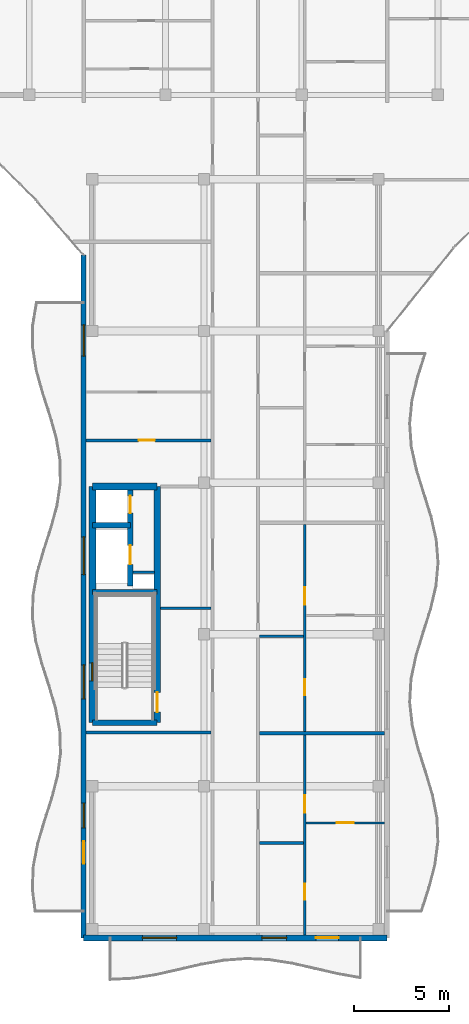
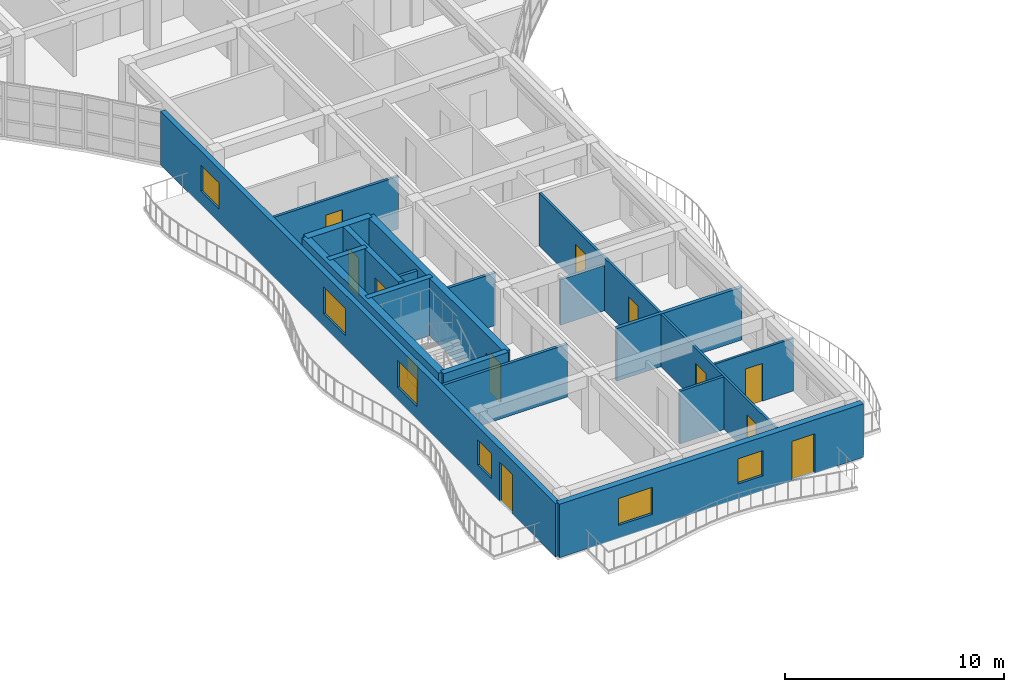
# One storey, part 37 of 71: 19 walls, 11 doors, 7 windows, 18 openings.
"""IFC4 building model written with IfcOpenShell, lengths in metres."""

from ifc_helpers import new_model, si_unit, direction, frame, frame_2d, origin, place, context, subcontext, project, spatial, rectangle, extrude, material, layer, layer_set, type_object, element, fill, save


model = new_model("IFC4")

# Units and contexts
model_context = context("Model", 3, precision=1e-05, world=origin(), true_north=direction((0.0, 1.0)))
body_context = subcontext(model_context, "Body", "Model", "MODEL_VIEW")
ifc_project = project(units=[si_unit("LENGTHUNIT", "METRE"), si_unit("AREAUNIT", "SQUARE_METRE"), si_unit("VOLUMEUNIT", "CUBIC_METRE"), si_unit("PLANEANGLEUNIT", "RADIAN"), si_unit("MASSUNIT", "GRAM", prefix="KILO")], contexts=[model_context])

# Site, building, storey
site_placement = place(None, origin())
site = spatial("IfcSite", under=ifc_project, at=site_placement, CompositionType="ELEMENT")
building_placement = place(site_placement, origin())
building = spatial("IfcBuilding", under=site, at=building_placement, Name="Keldmere Railside Commons", CompositionType="ELEMENT")
storey_placement = place(building_placement, frame((0.0, 0.0, 20.159912109375)))
storey = spatial("IfcBuildingStorey", under=building, at=storey_placement, Name="L06", CompositionType="ELEMENT", Elevation=20.159912109375)

# Wall
ifc_material_1 = material(Name="Acoustic Gypsum Board Partition", Category="gypsum")
ifc_layer_1 = layer(ifc_material_1, 0.179931640625, Name="Acoustic Demising Partition 180")
ifc_layer_set_1 = layer_set([ifc_layer_1], Name="Acoustic Gypsum Board Partition")
wall_type_1 = type_object("IfcWallType", Name="Acoustic Demising Partition 180", PredefinedType="PARTITIONING", material=ifc_layer_set_1)
wall_1_placement = place(storey_placement, frame((113.280029296875, 66.780029296875, 0.0), z_axis=(0.0, 0.0, 1.0), x_axis=(1.0, 0.0, 0.0)))
element("IfcWall", 1, at=wall_1_placement, inside=storey, type_object=wall_type_1, Name="IW-1 IW-L06-1152", PredefinedType="PARTITIONING", context=body_context, shape_type="SweptSolid", body=[
    extrude(rectangle(XDim=6.590087890625, YDim=0.179931640625, at=frame_2d((3.294921875, 0.0))), origin(), (0.0, 0.0, 1.0), 2.93505859375),
])

# Wall, openings, doors
ifc_layer_2 = layer(ifc_material_1, 0.1201171875, Name="Apartment Interior Partition 120")
ifc_layer_set_2 = layer_set([ifc_layer_2], Name="Acoustic Gypsum Board Partition")
wall_type_2 = type_object("IfcWallType", Name="Apartment Interior Partition 120", PredefinedType="PARTITIONING", material=ifc_layer_set_2)
wall_2_placement = place(storey_placement, frame((115.659912109375, 56.159912109375, 0.0), z_axis=(0.0, 0.0, 1.0), x_axis=(0.0, 1.0, 0.0)))
wall_2 = element("IfcWall", 2, at=wall_2_placement, inside=storey, type_object=wall_type_2, Name="IW-4 IW-L06-1155", PredefinedType="PARTITIONING", context=body_context, shape_type="SweptSolid", body=[
    extrude(rectangle(XDim=10.530029296875, YDim=0.1201171875, at=frame_2d((5.26513671875, 0.0))), origin(), (0.0, 0.0, 1.0), 2.93505859375),
])
opening_1_placement = place(wall_2_placement, frame((1.839111328125, 0.0, 0.0)))
opening_1 = element("IfcOpeningElement", 3, at=opening_1_placement, cuts=wall_2, Name="Opening ID-04", PredefinedType="OPENING", context=body_context, shape_type="SweptSolid", body=[
    extrude(rectangle(XDim=0.860107421875, YDim=2.10009765625, at=frame_2d((0.43017578125, 1.050048828125))), frame((0.0, 0.070068359375, 0.0), z_axis=(0.0, -1.0, 0.0), x_axis=(1.0, 0.0, 0.0)), (0.0, 0.0, 1.0), 0.14013671875),
])
opening_2_placement = place(wall_2_placement, frame((6.43310546875, 0.0, 0.0)))
opening_2 = element("IfcOpeningElement", 4, at=opening_2_placement, cuts=wall_2, Name="Opening ID-03", PredefinedType="OPENING", context=body_context, shape_type="SweptSolid", body=[
    extrude(rectangle(XDim=0.919921875, YDim=2.10009765625, at=frame_2d((0.4599609375, 1.050048828125))), frame((0.0, 0.070068359375, 0.0), z_axis=(0.0, -1.0, 0.0), x_axis=(1.0, 0.0, 0.0)), (0.0, 0.0, 1.0), 0.14013671875),
])
ifc_material_2 = material(Name="Engineered Oak Timber", Category="wood")
door_type_1 = type_object("IfcDoorType", Name="Apartment Bathroom Door 860x2100", OperationType="NOTDEFINED", PredefinedType="DOOR", material=ifc_material_2)
door_1_placement = place(opening_1_placement, origin())
door_1 = element("IfcDoor", 5, at=door_1_placement, inside=storey, type_object=door_type_1, Name="ID-04 IDR-L06-1015", OperationType="SINGLE_SWING_LEFT", OverallHeight=2.10009765625, OverallWidth=0.860107421875, PredefinedType="DOOR", context=body_context, shape_type="SweptSolid", body=[
    extrude(rectangle(XDim=0.860107421875, YDim=2.10009765625, at=frame_2d((0.43017578125, 1.050048828125))), frame((0.0, 0.02490234375, 0.0), z_axis=(0.0, -1.0, 0.0), x_axis=(1.0, 0.0, 0.0)), (0.0, 0.0, 1.0), 0.050048828125),
])
fill(opening_1, door_1)
door_type_2 = type_object("IfcDoorType", Name="Kitchen Pocket-Frame Swing Door 920x2100", OperationType="NOTDEFINED", PredefinedType="DOOR", material=ifc_material_2)
door_2_placement = place(opening_2_placement, origin())
door_2 = element("IfcDoor", 6, at=door_2_placement, inside=storey, type_object=door_type_2, Name="ID-03 IDR-L06-1016", OperationType="SINGLE_SWING_RIGHT", OverallHeight=2.10009765625, OverallWidth=0.919921875, PredefinedType="DOOR", context=body_context, shape_type="SweptSolid", body=[
    extrude(rectangle(XDim=0.919921875, YDim=2.10009765625, at=frame_2d((0.4599609375, 1.050048828125))), frame((0.0, 0.02490234375, 0.0), z_axis=(0.0, -1.0, 0.0), x_axis=(1.0, 0.0, 0.0)), (0.0, 0.0, 1.0), 0.050048828125),
])
fill(opening_2, door_2)

# Wall, opening, door
wall_3_placement = place(storey_placement, frame((115.719970703125, 62.06005859375, 0.0), z_axis=(0.0, 0.0, 1.0), x_axis=(1.0, 0.0, 0.0)))
wall_3 = element("IfcWall", 7, at=wall_3_placement, inside=storey, type_object=wall_type_2, Name="IW-4 IW-L06-1157", PredefinedType="PARTITIONING", context=body_context, shape_type="SweptSolid", body=[
    extrude(rectangle(XDim=4.150146484375, YDim=0.1201171875, at=frame_2d((2.0751953125, 0.0))), origin(), (0.0, 0.0, 1.0), 2.93505859375),
])
opening_3_placement = place(wall_3_placement, frame((1.625, 0.0, 0.0)))
opening_3 = element("IfcOpeningElement", 8, at=opening_3_placement, cuts=wall_3, Name="Opening ID-01", PredefinedType="OPENING", context=body_context, shape_type="SweptSolid", body=[
    extrude(rectangle(XDim=0.89990234375, YDim=2.10009765625, at=frame_2d((0.449951171875, 1.050048828125))), frame((0.0, 0.070068359375, 0.0), z_axis=(0.0, -1.0, 0.0), x_axis=(1.0, 0.0, 0.0)), (0.0, 0.0, 1.0), 0.14013671875),
])
door_type_3 = type_object("IfcDoorType", Name="Primary Bedroom Door 900x2100", OperationType="NOTDEFINED", PredefinedType="DOOR", material=ifc_material_2)
door_3_placement = place(opening_3_placement, origin())
door_3 = element("IfcDoor", 9, at=door_3_placement, inside=storey, type_object=door_type_3, Name="ID-01 IDR-L06-1018", OperationType="SINGLE_SWING_RIGHT", OverallHeight=2.10009765625, OverallWidth=0.89990234375, PredefinedType="DOOR", context=body_context, shape_type="SweptSolid", body=[
    extrude(rectangle(XDim=0.89990234375, YDim=2.10009765625, at=frame_2d((0.449951171875, 1.050048828125))), frame((0.0, 0.02490234375, 0.0), z_axis=(0.0, -1.0, 0.0), x_axis=(1.0, 0.0, 0.0)), (0.0, 0.0, 1.0), 0.050048828125),
])
fill(opening_3, door_3)

# Wall, openings, doors
wall_4_placement = place(storey_placement, frame((115.659912109375, 66.8701171875, 0.0), z_axis=(0.0, 0.0, 1.0), x_axis=(0.0, 1.0, 0.0)))
wall_4 = element("IfcWall", 10, at=wall_4_placement, inside=storey, type_object=wall_type_2, Name="IW-4 IW-L06-1158", PredefinedType="PARTITIONING", context=body_context, shape_type="SweptSolid", body=[
    extrude(rectangle(XDim=10.93994140625, YDim=0.1201171875, at=frame_2d((5.469970703125, 0.0))), origin(), (0.0, 0.0, 1.0), 2.93505859375),
])
opening_4_placement = place(wall_4_placement, frame((1.911376953125, 0.0, 0.0)))
opening_4 = element("IfcOpeningElement", 11, at=opening_4_placement, cuts=wall_4, Name="Opening ID-04", PredefinedType="OPENING", context=body_context, shape_type="SweptSolid", body=[
    extrude(rectangle(XDim=0.860107421875, YDim=2.10009765625, at=frame_2d((0.43017578125, 1.050048828125))), frame((0.0, 0.070068359375, 0.0), z_axis=(0.0, -1.0, 0.0), x_axis=(1.0, 0.0, 0.0)), (0.0, 0.0, 1.0), 0.14013671875),
])
opening_5_placement = place(wall_4_placement, frame((6.684814453125, 0.0, 0.0)))
opening_5 = element("IfcOpeningElement", 12, at=opening_5_placement, cuts=wall_4, Name="Opening ID-03", PredefinedType="OPENING", context=body_context, shape_type="SweptSolid", body=[
    extrude(rectangle(XDim=0.919921875, YDim=2.10009765625, at=frame_2d((0.4599609375, 1.050048828125))), frame((0.0, 0.070068359375, 0.0), z_axis=(0.0, -1.0, 0.0), x_axis=(1.0, 0.0, 0.0)), (0.0, 0.0, 1.0), 0.14013671875),
])
door_4_placement = place(opening_4_placement, origin())
door_4 = element("IfcDoor", 13, at=door_4_placement, inside=storey, type_object=door_type_1, Name="ID-04 IDR-L06-1019", OperationType="SINGLE_SWING_LEFT", OverallHeight=2.10009765625, OverallWidth=0.860107421875, PredefinedType="DOOR", context=body_context, shape_type="SweptSolid", body=[
    extrude(rectangle(XDim=0.860107421875, YDim=2.10009765625, at=frame_2d((0.43017578125, 1.050048828125))), frame((0.0, 0.02490234375, 0.0), z_axis=(0.0, -1.0, 0.0), x_axis=(1.0, 0.0, 0.0)), (0.0, 0.0, 1.0), 0.050048828125),
])
fill(opening_4, door_4)
door_5_placement = place(opening_5_placement, origin())
door_5 = element("IfcDoor", 14, at=door_5_placement, inside=storey, type_object=door_type_2, Name="ID-03 IDR-L06-1020", OperationType="SINGLE_SWING_RIGHT", OverallHeight=2.10009765625, OverallWidth=0.919921875, PredefinedType="DOOR", context=body_context, shape_type="SweptSolid", body=[
    extrude(rectangle(XDim=0.919921875, YDim=2.10009765625, at=frame_2d((0.4599609375, 1.050048828125))), frame((0.0, 0.02490234375, 0.0), z_axis=(0.0, -1.0, 0.0), x_axis=(1.0, 0.0, 0.0)), (0.0, 0.0, 1.0), 0.050048828125),
])
fill(opening_5, door_5)

# Walls
ifc_material_3 = material(Name="Concrete H-35 (C35/45)", Category="concrete")
ifc_layer_3 = layer(ifc_material_3, 0.280029296875, Name="Core Shear Wall 280")
ifc_layer_set_3 = layer_set([ifc_layer_3], Name="Concrete H-35 (C35/45)")
wall_type_3 = type_object("IfcWallType", Name="Core Shear Wall 280", PredefinedType="SHEAR", material=ifc_layer_set_3)
wall_5_placement = place(storey_placement, frame((104.4599609375, 74.239990234375, 0.0), z_axis=(0.0, 0.0, 1.0), x_axis=(1.0, 0.0, 0.0)))
element("IfcWall", 15, at=wall_5_placement, inside=storey, type_object=wall_type_3, Name="CSW-2 COREBM-L06-0508", PredefinedType="SHEAR", context=body_context, shape_type="SweptSolid", body=[
    extrude(rectangle(XDim=3.41015625, YDim=0.280029296875, at=frame_2d((1.705078125, 0.0))), origin(), (0.0, 0.0, 1.0), 3.2001953125),
])
wall_6_placement = place(storey_placement, frame((104.4599609375, 77.75, 0.0), z_axis=(0.0, 0.0, 1.0), x_axis=(1.0, 0.0, 0.0)))
element("IfcWall", 16, at=wall_6_placement, inside=storey, type_object=wall_type_3, Name="CSW-2 COREBL-L06-0509", PredefinedType="SHEAR", context=body_context, shape_type="SweptSolid", body=[
    extrude(rectangle(XDim=2.0, YDim=0.280029296875, at=frame_2d((1.0, 0.0))), origin(), (0.0, 0.0, 1.0), 3.2001953125),
])

# Wall, openings, doors
wall_7_placement = place(storey_placement, frame((106.4599609375, 74.550048828125, 0.0), z_axis=(0.0, 0.0, 1.0), x_axis=(0.0, 1.0, 0.0)))
wall_7 = element("IfcWall", 17, at=wall_7_placement, inside=storey, type_object=wall_type_3, Name="CSW-2 LSHB-L06-0510", PredefinedType="SHEAR", context=body_context, shape_type="SweptSolid", body=[
    extrude(rectangle(XDim=5.25, YDim=0.280029296875, at=frame_2d((2.625, 0.0))), origin(), (0.0, 0.0, 1.0), 3.2001953125),
])
opening_6_placement = place(wall_7_placement, frame((1.14990234375, 0.0, 0.0)))
opening_6 = element("IfcOpeningElement", 18, at=opening_6_placement, cuts=wall_7, Name="Opening LD-1", PredefinedType="OPENING", context=body_context, shape_type="SweptSolid", body=[
    extrude(rectangle(XDim=1.0, YDim=2.14990234375, at=frame_2d((0.5, 1.074951171875))), frame((0.0, 0.14990234375, 0.0), z_axis=(0.0, -1.0, 0.0), x_axis=(1.0, 0.0, 0.0)), (0.0, 0.0, 1.0), 0.300048828125),
])
opening_7_placement = place(wall_7_placement, frame((3.85009765625, 0.0, 0.0)))
opening_7 = element("IfcOpeningElement", 19, at=opening_7_placement, cuts=wall_7, Name="Opening LD-2", PredefinedType="OPENING", context=body_context, shape_type="SweptSolid", body=[
    extrude(rectangle(XDim=0.89990234375, YDim=2.14990234375, at=frame_2d((0.449951171875, 1.074951171875))), frame((0.0, 0.14990234375, 0.0), z_axis=(0.0, -1.0, 0.0), x_axis=(1.0, 0.0, 0.0)), (0.0, 0.0, 1.0), 0.300048828125),
])
ifc_material_4 = material(Name="Steel F-24 (S235)", Category="steel")
door_type_4 = type_object("IfcDoorType", Name="Firefighting Stretcher Lift Landing Door 1000x2150", OperationType="SLIDING_TO_LEFT", PredefinedType="DOOR", material=ifc_material_4)
door_6_placement = place(opening_6_placement, origin())
door_6 = element("IfcDoor", 20, at=door_6_placement, inside=storey, type_object=door_type_4, Name="LD-1 B L06", OperationType="SLIDING_TO_LEFT", OverallHeight=2.14990234375, OverallWidth=1.0, PredefinedType="DOOR", context=body_context, shape_type="SweptSolid", body=[
    extrude(rectangle(XDim=1.0, YDim=2.14990234375, at=frame_2d((0.5, 1.074951171875))), frame((0.0, 0.02490234375, 0.0), z_axis=(0.0, -1.0, 0.0), x_axis=(1.0, 0.0, 0.0)), (0.0, 0.0, 1.0), 0.050048828125),
])
fill(opening_6, door_6)
door_type_5 = type_object("IfcDoorType", Name="Passenger Lift Sliding Landing Door 900x2150", OperationType="SLIDING_TO_RIGHT", PredefinedType="DOOR", material=ifc_material_4)
door_7_placement = place(opening_7_placement, origin())
door_7 = element("IfcDoor", 21, at=door_7_placement, inside=storey, type_object=door_type_5, Name="LD-2 B L06", OperationType="SLIDING_TO_RIGHT", OverallHeight=2.14990234375, OverallWidth=0.89990234375, PredefinedType="DOOR", context=body_context, shape_type="SweptSolid", body=[
    extrude(rectangle(XDim=0.89990234375, YDim=2.14990234375, at=frame_2d((0.449951171875, 1.074951171875))), frame((0.0, 0.02490234375, 0.0), z_axis=(0.0, -1.0, 0.0), x_axis=(1.0, 0.0, 0.0)), (0.0, 0.0, 1.0), 0.050048828125),
])
fill(opening_7, door_7)

# Wall, opening, window
ifc_material_5 = material(Name="Concrete H-40 (C40/50)", Category="concrete")
ifc_layer_4 = layer(ifc_material_5, 0.3798828125, Name="Core Shear Wall 380")
ifc_layer_set_4 = layer_set([ifc_layer_4], Name="Concrete H-40 (C40/50)")
wall_type_4 = type_object("IfcWallType", Name="Core Shear Wall 380", PredefinedType="SHEAR", material=ifc_layer_set_4)
wall_8_placement = place(storey_placement, frame((104.4599609375, 67.35009765625, 0.0), z_axis=(0.0, 0.0, 1.0), x_axis=(0.0, 1.0, 0.0)))
wall_8 = element("IfcWall", 22, at=wall_8_placement, inside=storey, type_object=wall_type_4, Name="CW-CORE COREBW-L06-0504", PredefinedType="SHEAR", context=body_context, shape_type="SweptSolid", body=[
    extrude(rectangle(XDim=12.449951171875, YDim=0.3798828125, at=frame_2d((6.22509765625, 0.0))), origin(), (0.0, 0.0, 1.0), 3.2001953125),
])
opening_8_placement = place(wall_8_placement, frame((2.199951171875, 0.0, 0.969970703125)))
opening_8 = element("IfcOpeningElement", 23, at=opening_8_placement, cuts=wall_8, Name="Opening WN-17", PredefinedType="OPENING", context=body_context, shape_type="SweptSolid", body=[
    extrude(rectangle(XDim=0.949951171875, YDim=1.25, at=frame_2d((0.47509765625, 0.625))), frame((0.0, 0.199951171875, 0.0), z_axis=(0.0, -1.0, 0.0), x_axis=(1.0, 0.0, 0.0)), (0.0, 0.0, 1.0), 0.39990234375),
])
ifc_material_6 = material(Name="Low-E Insulated Double Glazing", Category="glass")
window_type_1 = type_object("IfcWindowType", Name="Stair Core Natural Smoke-Vent Window 950x1250", PartitioningType="SINGLE_PANEL", PredefinedType="WINDOW", material=ifc_material_6)
window_1_placement = place(opening_8_placement, origin())
window_1 = element("IfcWindow", 24, at=window_1_placement, inside=storey, type_object=window_type_1, Name="WN-17 WIN-L06-0343", OverallHeight=1.25, OverallWidth=0.949951171875, PartitioningType="SINGLE_PANEL", PredefinedType="WINDOW", context=body_context, shape_type="SweptSolid", body=[
    extrude(rectangle(XDim=0.949951171875, YDim=1.25, at=frame_2d((0.47509765625, 0.625))), frame((0.0, 0.030029296875, 0.0), z_axis=(0.0, -1.0, 0.0), x_axis=(1.0, 0.0, 0.0)), (0.0, 0.0, 1.0), 0.06005859375),
])
fill(opening_8, window_1)

# Wall
wall_9_placement = place(storey_placement, frame((104.4599609375, 79.800048828125, 0.0), z_axis=(0.0, 0.0, 1.0), x_axis=(1.0, 0.0, 0.0)))
element("IfcWall", 25, at=wall_9_placement, inside=storey, type_object=wall_type_4, Name="CW-CORE COREBN-L06-0505", PredefinedType="SHEAR", context=body_context, shape_type="SweptSolid", body=[
    extrude(rectangle(XDim=3.41015625, YDim=0.3798828125, at=frame_2d((1.705078125, 0.0))), origin(), (0.0, 0.0, 1.0), 3.2001953125),
])

# Wall, openings, door, windows
ifc_layer_5 = layer(ifc_material_3, 0.320068359375, Name="Exterior Shear Wall 320")
ifc_layer_set_5 = layer_set([ifc_layer_5], Name="Concrete H-35 (C35/45)")
wall_type_5 = type_object("IfcWallType", Name="Exterior Shear Wall 320", PredefinedType="SHEAR", material=ifc_layer_set_5)
wall_10_placement = place(storey_placement, frame((120.0, 56.0, 0.0), z_axis=(0.0, 0.0, 1.0), x_axis=(-1.0, 0.0, 0.0)))
wall_10 = element("IfcWall", 26, at=wall_10_placement, inside=storey, type_object=wall_type_5, Name="ESW-2 EXTB-L06-0629", PredefinedType="SHEAR", context=body_context, shape_type="SweptSolid", body=[
    extrude(rectangle(XDim=16.0, YDim=0.320068359375, at=frame_2d((8.0, 0.0))), origin(), (0.0, 0.0, 1.0), 2.97998046875),
])
opening_9_placement = place(wall_10_placement, frame((2.550048828125, 0.0, 0.0)))
opening_9 = element("IfcOpeningElement", 27, at=opening_9_placement, cuts=wall_10, Name="Opening BD-01", PredefinedType="OPENING", context=body_context, shape_type="SweptSolid", body=[
    extrude(rectangle(XDim=1.199951171875, YDim=2.199951171875, at=frame_2d((0.60009765625, 1.10009765625))), frame((0.0, 0.169921875, 0.0), z_axis=(0.0, -1.0, 0.0), x_axis=(1.0, 0.0, 0.0)), (0.0, 0.0, 1.0), 0.340087890625),
])
opening_10_placement = place(wall_10_placement, frame((5.300048828125, 0.0, 0.820068359375)))
opening_10 = element("IfcOpeningElement", 28, at=opening_10_placement, cuts=wall_10, Name="Opening WN-10", PredefinedType="OPENING", context=body_context, shape_type="SweptSolid", body=[
    extrude(rectangle(XDim=1.300048828125, YDim=1.39990234375, at=frame_2d((0.64990234375, 0.699951171875))), frame((0.0, 0.169921875, 0.0), z_axis=(0.0, -1.0, 0.0), x_axis=(1.0, 0.0, 0.0)), (0.0, 0.0, 1.0), 0.340087890625),
])
opening_11_placement = place(wall_10_placement, frame((11.10009765625, 0.0, 0.719970703125)))
opening_11 = element("IfcOpeningElement", 29, at=opening_11_placement, cuts=wall_10, Name="Opening WN-01", PredefinedType="OPENING", context=body_context, shape_type="SweptSolid", body=[
    extrude(rectangle(XDim=1.800048828125, YDim=1.5, at=frame_2d((0.89990234375, 0.75))), frame((0.0, 0.169921875, 0.0), z_axis=(0.0, -1.0, 0.0), x_axis=(1.0, 0.0, 0.0)), (0.0, 0.0, 1.0), 0.340087890625),
])
ifc_material_7 = material(Name="Thermally Broken Aluminium", Category="aluminium")
door_type_6 = type_object("IfcDoorType", Name="Apartment Living Wave-Balcony Glazed Door 1200x2200", OperationType="NOTDEFINED", PredefinedType="DOOR", material=ifc_material_7)
door_8_placement = place(opening_9_placement, origin())
door_8 = element("IfcDoor", 30, at=door_8_placement, inside=storey, type_object=door_type_6, Name="BD-01 DR-L06-0168", OperationType="SINGLE_SWING_RIGHT", OverallHeight=2.199951171875, OverallWidth=1.199951171875, PredefinedType="DOOR", context=body_context, shape_type="SweptSolid", body=[
    extrude(rectangle(XDim=1.199951171875, YDim=2.199951171875, at=frame_2d((0.60009765625, 1.10009765625))), frame((0.0, 0.02490234375, 0.0), z_axis=(0.0, -1.0, 0.0), x_axis=(1.0, 0.0, 0.0)), (0.0, 0.0, 1.0), 0.050048828125),
])
fill(opening_9, door_8)
window_type_2 = type_object("IfcWindowType", Name="Living Room North Casement Window 1800x1500", PartitioningType="SINGLE_PANEL", PredefinedType="WINDOW", material=ifc_material_6)
window_2_placement = place(opening_11_placement, origin())
window_2 = element("IfcWindow", 31, at=window_2_placement, inside=storey, type_object=window_type_2, Name="WN-01 WIN-L06-0455", OverallHeight=1.5, OverallWidth=1.800048828125, PartitioningType="SINGLE_PANEL", PredefinedType="WINDOW", context=body_context, shape_type="SweptSolid", body=[
    extrude(rectangle(XDim=1.800048828125, YDim=1.5, at=frame_2d((0.89990234375, 0.75))), frame((0.0, 0.030029296875, 0.0), z_axis=(0.0, -1.0, 0.0), x_axis=(1.0, 0.0, 0.0)), (0.0, 0.0, 1.0), 0.06005859375),
])
fill(opening_11, window_2)
window_type_3 = type_object("IfcWindowType", Name="Secondary Bedroom Court Window 1300x1400", PartitioningType="SINGLE_PANEL", PredefinedType="WINDOW", material=ifc_material_6)
window_3_placement = place(opening_10_placement, origin())
window_3 = element("IfcWindow", 32, at=window_3_placement, inside=storey, type_object=window_type_3, Name="WN-10 WIN-L06-0454", OverallHeight=1.39990234375, OverallWidth=1.300048828125, PartitioningType="SINGLE_PANEL", PredefinedType="WINDOW", context=body_context, shape_type="SweptSolid", body=[
    extrude(rectangle(XDim=1.300048828125, YDim=1.39990234375, at=frame_2d((0.64990234375, 0.699951171875))), frame((0.0, 0.030029296875, 0.0), z_axis=(0.0, -1.0, 0.0), x_axis=(1.0, 0.0, 0.0)), (0.0, 0.0, 1.0), 0.06005859375),
])
fill(opening_10, window_3)

# Wall
ifc_layer_6 = layer(ifc_material_3, 0.300048828125, Name="Interior Shear Wall 300")
ifc_layer_set_6 = layer_set([ifc_layer_6], Name="Concrete H-35 (C35/45)")
wall_type_6 = type_object("IfcWallType", Name="Interior Shear Wall 300", PredefinedType="SHEAR", material=ifc_layer_set_6)
wall_11_placement = place(storey_placement, frame((107.8701171875, 67.35009765625, 0.0), z_axis=(0.0, 0.0, 1.0), x_axis=(-1.0, 0.0, 0.0)))
element("IfcWall", 33, at=wall_11_placement, inside=storey, type_object=wall_type_6, Name="ISW-2 COREBS-L06-0507", PredefinedType="SHEAR", context=body_context, shape_type="SweptSolid", body=[
    extrude(rectangle(XDim=3.41015625, YDim=0.300048828125, at=frame_2d((1.705078125, 0.0))), origin(), (0.0, 0.0, 1.0), 3.2001953125),
])

# Wall, opening, door
ifc_layer_7 = layer(ifc_material_3, 0.340087890625, Name="Interior Shear Wall 340")
ifc_layer_set_7 = layer_set([ifc_layer_7], Name="Concrete H-35 (C35/45)")
wall_type_7 = type_object("IfcWallType", Name="Interior Shear Wall 340", PredefinedType="SHEAR", material=ifc_layer_set_7)
wall_12_placement = place(storey_placement, frame((107.8701171875, 79.800048828125, 0.0), z_axis=(0.0, 0.0, 1.0), x_axis=(0.0, -1.0, 0.0)))
wall_12 = element("IfcWall", 34, at=wall_12_placement, inside=storey, type_object=wall_type_7, Name="ISW-1 COREBE-L06-0506", PredefinedType="SHEAR", context=body_context, shape_type="SweptSolid", body=[
    extrude(rectangle(XDim=12.449951171875, YDim=0.340087890625, at=frame_2d((6.22509765625, 0.0))), origin(), (0.0, 0.0, 1.0), 3.2001953125),
])
opening_12_placement = place(wall_12_placement, frame((10.85009765625, 0.0, 0.0)))
opening_12 = element("IfcOpeningElement", 35, at=opening_12_placement, cuts=wall_12, Name="Opening FD-1", PredefinedType="OPENING", context=body_context, shape_type="SweptSolid", body=[
    extrude(rectangle(XDim=1.050048828125, YDim=2.14990234375, at=frame_2d((0.52490234375, 1.074951171875))), frame((0.0, 0.179931640625, 0.0), z_axis=(0.0, -1.0, 0.0), x_axis=(1.0, 0.0, 0.0)), (0.0, 0.0, 1.0), 0.360107421875),
])
door_type_7 = type_object("IfcDoorType", Name="Stair Core Fire Door 1050x2150", OperationType="NOTDEFINED", PredefinedType="DOOR", material=ifc_material_4)
door_9_placement = place(opening_12_placement, origin())
door_9 = element("IfcDoor", 36, at=door_9_placement, inside=storey, type_object=door_type_7, Name="FD-1 B1 L06", OperationType="SINGLE_SWING_LEFT", OverallHeight=2.14990234375, OverallWidth=1.050048828125, PredefinedType="DOOR", context=body_context, shape_type="SweptSolid", body=[
    extrude(rectangle(XDim=1.050048828125, YDim=2.14990234375, at=frame_2d((0.52490234375, 1.074951171875))), frame((0.0, 0.02490234375, 0.0), z_axis=(0.0, -1.0, 0.0), x_axis=(1.0, 0.0, 0.0)), (0.0, 0.0, 1.0), 0.050048828125),
])
fill(opening_12, door_9)

# Walls
ifc_layer_8 = layer(ifc_material_1, 0.14990234375, Name="Lobby Rated Partition 150")
ifc_layer_set_8 = layer_set([ifc_layer_8], Name="Acoustic Gypsum Board Partition")
wall_type_8 = type_object("IfcWallType", Name="Lobby Rated Partition 150", PredefinedType="PARTITIONING", material=ifc_layer_set_8)
wall_13_placement = place(storey_placement, frame((106.60009765625, 75.280029296875, 0.0), z_axis=(0.0, 0.0, 1.0), x_axis=(1.0, 0.0, 0.0)))
element("IfcWall", 37, at=wall_13_placement, inside=storey, type_object=wall_type_8, Name="IW-3 RSRNB-L06-0511", PredefinedType="PARTITIONING", context=body_context, shape_type="SweptSolid", body=[
    extrude(rectangle(XDim=1.1298828125, YDim=0.14990234375, at=frame_2d((0.56494140625, 0.0))), origin(), (0.0, 0.0, 1.0), 2.9501953125),
])
wall_14_placement = place(storey_placement, frame((104.1298828125, 66.820068359375, 0.0), z_axis=(0.0, 0.0, 1.0), x_axis=(1.0, 0.0, 0.0)))
element("IfcWall", 38, at=wall_14_placement, inside=storey, type_object=wall_type_8, Name="IW-3 IW-L06-1140", PredefinedType="PARTITIONING", context=body_context, shape_type="SweptSolid", body=[
    extrude(rectangle(XDim=6.590087890625, YDim=0.14990234375, at=frame_2d((3.294921875, 0.0))), origin(), (0.0, 0.0, 1.0), 2.93505859375),
])
wall_15_placement = place(storey_placement, frame((108.0400390625, 73.3798828125, 0.0), z_axis=(0.0, 0.0, 1.0), x_axis=(1.0, 0.0, 0.0)))
element("IfcWall", 39, at=wall_15_placement, inside=storey, type_object=wall_type_8, Name="IW-3 IW-L06-1141", PredefinedType="PARTITIONING", context=body_context, shape_type="SweptSolid", body=[
    extrude(rectangle(XDim=2.679931640625, YDim=0.14990234375, at=frame_2d((1.33984375, 0.0))), origin(), (0.0, 0.0, 1.0), 2.93505859375),
])

# Wall, openings, door, windows
ifc_material_8 = material(Name="Terracotta Brick Masonry", Category="masonry")
ifc_layer_9 = layer(ifc_material_8, 0.260009765625, Name="Terracotta Cavity Wall 260")
ifc_layer_set_9 = layer_set([ifc_layer_9], Name="Terracotta Brick Masonry")
wall_type_9 = type_object("IfcWallType", Name="Terracotta Cavity Wall 260", PredefinedType="SOLIDWALL", material=ifc_layer_set_9)
wall_16_placement = place(storey_placement, frame((104.0, 56.0, 0.0), z_axis=(0.0, 0.0, 1.0), x_axis=(0.0, 1.0, 0.0)))
wall_16 = element("IfcWall", 40, at=wall_16_placement, inside=storey, type_object=wall_type_9, Name="EW-1 EXTB-L06-0636", PredefinedType="SOLIDWALL", context=body_context, shape_type="SweptSolid", body=[
    extrude(rectangle(XDim=36.0, YDim=0.260009765625, at=frame_2d((18.0, 0.0))), origin(), (0.0, 0.0, 1.0), 2.97998046875),
])
opening_13_placement = place(wall_16_placement, frame((3.89990234375, 0.0, 0.0)))
opening_13 = element("IfcOpeningElement", 41, at=opening_13_placement, cuts=wall_16, Name="Opening BD-01", PredefinedType="OPENING", context=body_context, shape_type="SweptSolid", body=[
    extrude(rectangle(XDim=1.199951171875, YDim=2.199951171875, at=frame_2d((0.60009765625, 1.10009765625))), frame((0.0, 0.139892578125, 0.0), z_axis=(0.0, -1.0, 0.0), x_axis=(1.0, 0.0, 0.0)), (0.0, 0.0, 1.0), 0.280029296875),
])
opening_14_placement = place(wall_16_placement, frame((5.800048828125, 0.0, 0.820068359375)))
opening_14 = element("IfcOpeningElement", 42, at=opening_14_placement, cuts=wall_16, Name="Opening WN-10", PredefinedType="OPENING", context=body_context, shape_type="SweptSolid", body=[
    extrude(rectangle(XDim=1.300048828125, YDim=1.39990234375, at=frame_2d((0.64990234375, 0.699951171875))), frame((0.0, 0.139892578125, 0.0), z_axis=(0.0, -1.0, 0.0), x_axis=(1.0, 0.0, 0.0)), (0.0, 0.0, 1.0), 0.280029296875),
])
opening_15_placement = place(wall_16_placement, frame((12.60009765625, 0.0, 0.719970703125)))
opening_15 = element("IfcOpeningElement", 43, at=opening_15_placement, cuts=wall_16, Name="Opening WN-01", PredefinedType="OPENING", context=body_context, shape_type="SweptSolid", body=[
    extrude(rectangle(XDim=1.800048828125, YDim=1.5, at=frame_2d((0.89990234375, 0.75))), frame((0.0, 0.139892578125, 0.0), z_axis=(0.0, -1.0, 0.0), x_axis=(1.0, 0.0, 0.0)), (0.0, 0.0, 1.0), 0.280029296875),
])
opening_16_placement = place(wall_16_placement, frame((19.14990234375, 0.0, 0.719970703125)))
opening_16 = element("IfcOpeningElement", 44, at=opening_16_placement, cuts=wall_16, Name="Opening WN-02", PredefinedType="OPENING", context=body_context, shape_type="SweptSolid", body=[
    extrude(rectangle(XDim=2.0, YDim=1.5, at=frame_2d((1.0, 0.75))), frame((0.0, 0.139892578125, 0.0), z_axis=(0.0, -1.0, 0.0), x_axis=(1.0, 0.0, 0.0)), (0.0, 0.0, 1.0), 0.280029296875),
])
opening_17_placement = place(wall_16_placement, frame((30.675048828125, 0.0, 0.77001953125)))
opening_17 = element("IfcOpeningElement", 45, at=opening_17_placement, cuts=wall_16, Name="Opening WN-03", PredefinedType="OPENING", context=body_context, shape_type="SweptSolid", body=[
    extrude(rectangle(XDim=1.64990234375, YDim=1.449951171875, at=frame_2d((0.824951171875, 0.72509765625))), frame((0.0, 0.139892578125, 0.0), z_axis=(0.0, -1.0, 0.0), x_axis=(1.0, 0.0, 0.0)), (0.0, 0.0, 1.0), 0.280029296875),
])
door_10_placement = place(opening_13_placement, origin())
door_10 = element("IfcDoor", 46, at=door_10_placement, inside=storey, type_object=door_type_6, Name="BD-01 DR-L06-0175", OperationType="SINGLE_SWING_LEFT", OverallHeight=2.199951171875, OverallWidth=1.199951171875, PredefinedType="DOOR", context=body_context, shape_type="SweptSolid", body=[
    extrude(rectangle(XDim=1.199951171875, YDim=2.199951171875, at=frame_2d((0.60009765625, 1.10009765625))), frame((0.0, 0.02490234375, 0.0), z_axis=(0.0, -1.0, 0.0), x_axis=(1.0, 0.0, 0.0)), (0.0, 0.0, 1.0), 0.050048828125),
])
fill(opening_13, door_10)
window_type_4 = type_object("IfcWindowType", Name="Living Room East Shaded Window 1650x1450", PartitioningType="SINGLE_PANEL", PredefinedType="WINDOW", material=ifc_material_6)
window_4_placement = place(opening_17_placement, origin())
window_4 = element("IfcWindow", 47, at=window_4_placement, inside=storey, type_object=window_type_4, Name="WN-03 WIN-L06-0473", OverallHeight=1.449951171875, OverallWidth=1.64990234375, PartitioningType="SINGLE_PANEL", PredefinedType="WINDOW", context=body_context, shape_type="SweptSolid", body=[
    extrude(rectangle(XDim=1.64990234375, YDim=1.449951171875, at=frame_2d((0.824951171875, 0.72509765625))), frame((0.0, 0.030029296875, 0.0), z_axis=(0.0, -1.0, 0.0), x_axis=(1.0, 0.0, 0.0)), (0.0, 0.0, 1.0), 0.06005859375),
])
fill(opening_17, window_4)
window_5_placement = place(opening_15_placement, origin())
window_5 = element("IfcWindow", 48, at=window_5_placement, inside=storey, type_object=window_type_2, Name="WN-01 WIN-L06-0471", OverallHeight=1.5, OverallWidth=1.800048828125, PartitioningType="SINGLE_PANEL", PredefinedType="WINDOW", context=body_context, shape_type="SweptSolid", body=[
    extrude(rectangle(XDim=1.800048828125, YDim=1.5, at=frame_2d((0.89990234375, 0.75))), frame((0.0, 0.030029296875, 0.0), z_axis=(0.0, -1.0, 0.0), x_axis=(1.0, 0.0, 0.0)), (0.0, 0.0, 1.0), 0.06005859375),
])
fill(opening_15, window_5)
window_type_5 = type_object("IfcWindowType", Name="Living Room South Casement Window 2000x1500", PartitioningType="SINGLE_PANEL", PredefinedType="WINDOW", material=ifc_material_6)
window_6_placement = place(opening_16_placement, origin())
window_6 = element("IfcWindow", 49, at=window_6_placement, inside=storey, type_object=window_type_5, Name="WN-02 WIN-L06-0472", OverallHeight=1.5, OverallWidth=2.0, PartitioningType="SINGLE_PANEL", PredefinedType="WINDOW", context=body_context, shape_type="SweptSolid", body=[
    extrude(rectangle(XDim=2.0, YDim=1.5, at=frame_2d((1.0, 0.75))), frame((0.0, 0.030029296875, 0.0), z_axis=(0.0, -1.0, 0.0), x_axis=(1.0, 0.0, 0.0)), (0.0, 0.0, 1.0), 0.06005859375),
])
fill(opening_16, window_6)
window_7_placement = place(opening_14_placement, origin())
window_7 = element("IfcWindow", 50, at=window_7_placement, inside=storey, type_object=window_type_3, Name="WN-10 WIN-L06-0470", OverallHeight=1.39990234375, OverallWidth=1.300048828125, PartitioningType="SINGLE_PANEL", PredefinedType="WINDOW", context=body_context, shape_type="SweptSolid", body=[
    extrude(rectangle(XDim=1.300048828125, YDim=1.39990234375, at=frame_2d((0.64990234375, 0.699951171875))), frame((0.0, 0.030029296875, 0.0), z_axis=(0.0, -1.0, 0.0), x_axis=(1.0, 0.0, 0.0)), (0.0, 0.0, 1.0), 0.06005859375),
])
fill(opening_14, window_7)

# Walls
ifc_layer_10 = layer(ifc_material_1, 0.139892578125, Name="Wet-Room Sanitary Partition 140")
ifc_layer_set_10 = layer_set([ifc_layer_10], Name="Acoustic Gypsum Board Partition")
wall_type_10 = type_object("IfcWallType", Name="Wet-Room Sanitary Partition 140", PredefinedType="PARTITIONING", material=ifc_layer_set_10)
wall_17_placement = place(storey_placement, frame((113.280029296875, 61.0, 0.0), z_axis=(0.0, 0.0, 1.0), x_axis=(1.0, 0.0, 0.0)))
element("IfcWall", 51, at=wall_17_placement, inside=storey, type_object=wall_type_10, Name="IW-5 IW-L06-1156", PredefinedType="PARTITIONING", context=body_context, shape_type="SweptSolid", body=[
    extrude(rectangle(XDim=2.320068359375, YDim=0.139892578125, at=frame_2d((1.16015625, 0.0))), origin(), (0.0, 0.0, 1.0), 2.93505859375),
])
wall_18_placement = place(storey_placement, frame((113.280029296875, 71.89990234375, 0.0), z_axis=(0.0, 0.0, 1.0), x_axis=(1.0, 0.0, 0.0)))
element("IfcWall", 52, at=wall_18_placement, inside=storey, type_object=wall_type_10, Name="IW-5 IW-L06-1159", PredefinedType="PARTITIONING", context=body_context, shape_type="SweptSolid", body=[
    extrude(rectangle(XDim=2.320068359375, YDim=0.139892578125, at=frame_2d((1.16015625, 0.0))), origin(), (0.0, 0.0, 1.0), 2.530029296875),
])

# Wall, opening, door
wall_19_placement = place(storey_placement, frame((104.1298828125, 82.22998046875, 0.0), z_axis=(0.0, 0.0, 1.0), x_axis=(1.0, 0.0, 0.0)))
wall_19 = element("IfcWall", 53, at=wall_19_placement, inside=storey, type_object=wall_type_10, Name="IW-5 IW-L06-1180", PredefinedType="PARTITIONING", context=body_context, shape_type="SweptSolid", body=[
    extrude(rectangle(XDim=6.590087890625, YDim=0.139892578125, at=frame_2d((3.294921875, 0.0))), origin(), (0.0, 0.0, 1.0), 2.93505859375),
])
opening_18_placement = place(wall_19_placement, frame((2.767822265625, 0.0, 0.0)))
opening_18 = element("IfcOpeningElement", 54, at=opening_18_placement, cuts=wall_19, Name="Opening ID-04", PredefinedType="OPENING", context=body_context, shape_type="SweptSolid", body=[
    extrude(rectangle(XDim=0.860107421875, YDim=2.10009765625, at=frame_2d((0.43017578125, 1.050048828125))), frame((0.0, 0.079833984375, 0.0), z_axis=(0.0, -1.0, 0.0), x_axis=(1.0, 0.0, 0.0)), (0.0, 0.0, 1.0), 0.159912109375),
])
door_11_placement = place(opening_18_placement, origin())
door_11 = element("IfcDoor", 55, at=door_11_placement, inside=storey, type_object=door_type_1, Name="ID-04 IDR-L06-1048", OperationType="SINGLE_SWING_RIGHT", OverallHeight=2.10009765625, OverallWidth=0.860107421875, PredefinedType="DOOR", context=body_context, shape_type="SweptSolid", body=[
    extrude(rectangle(XDim=0.860107421875, YDim=2.10009765625, at=frame_2d((0.43017578125, 1.050048828125))), frame((0.0, 0.02490234375, 0.0), z_axis=(0.0, -1.0, 0.0), x_axis=(1.0, 0.0, 0.0)), (0.0, 0.0, 1.0), 0.050048828125),
])
fill(opening_18, door_11)

save(model, "model.ifc")
